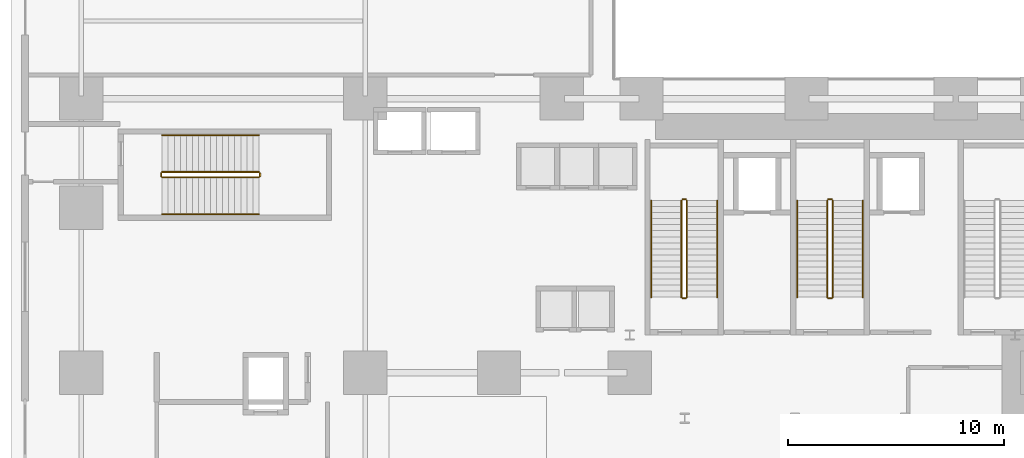
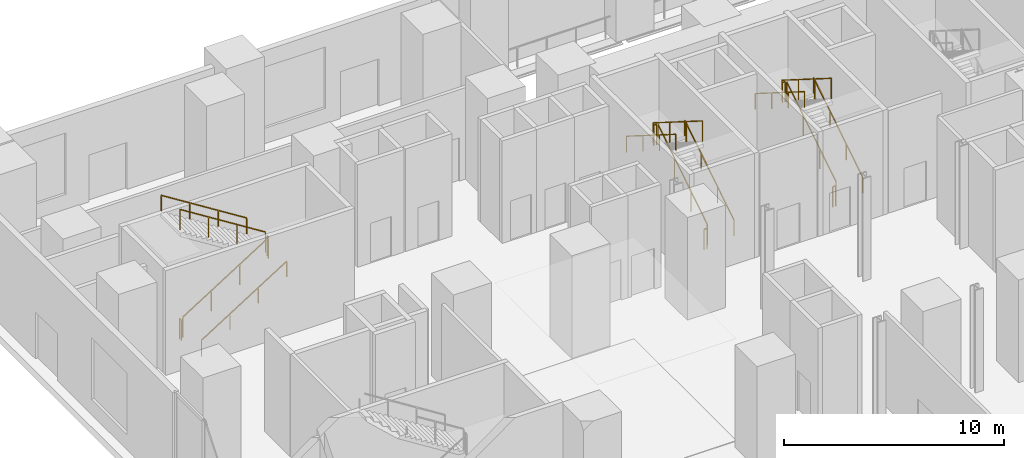
# One storey, part 21 of 25: 18 railings.
"""IFC4 building model written with IfcOpenShell, lengths in metres."""

from ifc_helpers import new_model, si_unit, direction, frame, origin, origin_2d, place, context, subcontext, project, spatial, rectangle, extrude, source, transform, mapped, material, type_object, element, save


model = new_model("IFC4")

# Units and contexts
model_context = context("Model", 3, precision=1e-05, world=origin(), true_north=direction((0.0, 1.0)))
body_context = subcontext(model_context, "Body", "Model", "MODEL_VIEW")
ifc_project = project(units=[si_unit("LENGTHUNIT", "METRE"), si_unit("AREAUNIT", "SQUARE_METRE"), si_unit("VOLUMEUNIT", "CUBIC_METRE"), si_unit("PLANEANGLEUNIT", "RADIAN"), si_unit("MASSUNIT", "GRAM", prefix="KILO")], contexts=[model_context])

# Site, building, storey
site_placement = place(None, origin())
site = spatial("IfcSite", under=ifc_project, at=site_placement, CompositionType="ELEMENT")
building_placement = place(site_placement, origin())
building = spatial("IfcBuilding", under=site, at=building_placement, Name="Vardaveli Station Tower", CompositionType="ELEMENT")
storey_placement = place(building_placement, origin())
storey = spatial("IfcBuildingStorey", under=building, at=storey_placement, Name="L01", CompositionType="ELEMENT", Elevation=0.0)

# Railings
ifc_material = material(Name="Brushed AISI 316 stainless steel", Category="steel")
railing_type_1 = type_object("IfcRailingType", Name="RL-GUARD-1150", PredefinedType="GUARDRAIL", material=ifc_material)
shared_shape_1 = source(origin(), body_context, "Body", "SweptSolid", [
    extrude(rectangle(XDim=0.048095703125, YDim=0.048095703125, at=origin_2d()), frame((0.0, 0.0, 1.1259765625), z_axis=(-1.0, 0.0, 0.0), x_axis=(0.0, -1.0, 0.0)), (0.0, 0.0, 1.0), 0.14990234375),
    extrude(rectangle(XDim=0.0419921875, YDim=0.0419921875, at=origin_2d()), origin(), (0.0, 0.0, 1.0), 1.101806640625),
    extrude(rectangle(XDim=0.0419921875, YDim=0.0419921875, at=origin_2d()), frame((-0.14990234375, 0.0, 0.0)), (0.0, 0.0, 1.0), 1.101806640625),
])
for number, where, name in (
    (1, (31.25, 36.929931640625, 3.0), "L01 ST-1 stair guard 2"),
    (2, (31.25, 32.35009765625, 0.0), "L01 ST-1 stair guard 4"),
    (3, (38.0, 36.929931640625, 3.0), "L01 ST-2 stair guard 2"),
    (4, (38.0, 32.35009765625, 0.0), "L01 ST-2 stair guard 4"),
):
    element("IfcRailing", number, at=place(storey_placement, frame(where)), inside=storey, type_object=railing_type_1, Name=name, PredefinedType="GUARDRAIL", context=body_context, shape_type="MappedRepresentation", body=[
        mapped(shared_shape_1, transform((0.0, 0.0, 0.0), scale=1.0)),
    ])
shared_shape_2 = source(origin(), body_context, "Body", "SweptSolid", [
    extrude(rectangle(XDim=0.048095703125, YDim=0.048095703125, at=origin_2d()), frame((0.0, 0.0, 1.1259765625), z_axis=(0.0, 0.845997938375, 0.533186166611), x_axis=(-1.0, 0.0, 0.0)), (0.0, 0.0, 1.0), 5.29541015625),
    extrude(rectangle(XDim=0.0419921875, YDim=0.0419921875, at=origin_2d()), origin(), (0.0, 0.0, 1.0), 1.101806640625),
    extrude(rectangle(XDim=0.0419921875, YDim=0.0419921875, at=origin_2d()), frame((0.0, 1.493408203125, 0.941162109375)), (0.0, 0.0, 1.0), 1.101806640625),
    extrude(rectangle(XDim=0.0419921875, YDim=0.0419921875, at=origin_2d()), frame((0.0, 2.986572265625, 1.88232421875)), (0.0, 0.0, 1.0), 1.101806640625),
    extrude(rectangle(XDim=0.0419921875, YDim=0.0419921875, at=origin_2d()), frame((0.0, 4.47998046875, 2.823486328125)), (0.0, 0.0, 1.0), 1.101806640625),
])
for number, where, name in (
    (5, (31.300048828125, 32.39990234375, 0.176513671875), "L01 ST-1 stair guard 1"),
    (6, (38.050048828125, 32.39990234375, 0.176513671875), "L01 ST-2 stair guard 1"),
):
    element("IfcRailing", number, at=place(storey_placement, frame(where)), inside=storey, type_object=railing_type_1, Name=name, PredefinedType="GUARDRAIL", context=body_context, shape_type="MappedRepresentation", body=[
        mapped(shared_shape_2, transform((0.0, 0.0, 0.0), scale=1.0)),
    ])
shared_shape_3 = source(origin(), body_context, "Body", "SweptSolid", [
    extrude(rectangle(XDim=0.048095703125, YDim=0.048095703125, at=origin_2d()), frame((0.0, 0.0, 1.1259765625), z_axis=(0.0, -0.845997938375, 0.533186166611), x_axis=(1.0, 0.0, 0.0)), (0.0, 0.0, 1.0), 5.29541015625),
    extrude(rectangle(XDim=0.0419921875, YDim=0.0419921875, at=origin_2d()), origin(), (0.0, 0.0, 1.0), 1.101806640625),
    extrude(rectangle(XDim=0.0419921875, YDim=0.0419921875, at=origin_2d()), frame((0.0, -1.493408203125, 0.941162109375)), (0.0, 0.0, 1.0), 1.101806640625),
    extrude(rectangle(XDim=0.0419921875, YDim=0.0419921875, at=origin_2d()), frame((0.0, -2.986572265625, 1.88232421875)), (0.0, 0.0, 1.0), 1.101806640625),
    extrude(rectangle(XDim=0.0419921875, YDim=0.0419921875, at=origin_2d()), frame((0.0, -4.47998046875, 2.823486328125)), (0.0, 0.0, 1.0), 1.101806640625),
])
for number, where, name in (
    (7, (31.050048828125, 36.8798828125, 3.176513671875), "L01 ST-1 stair guard 3"),
    (8, (37.800048828125, 36.8798828125, 3.176513671875), "L01 ST-2 stair guard 3"),
):
    element("IfcRailing", number, at=place(storey_placement, frame(where)), inside=storey, type_object=railing_type_1, Name=name, PredefinedType="GUARDRAIL", context=body_context, shape_type="MappedRepresentation", body=[
        mapped(shared_shape_3, transform((0.0, 0.0, 0.0), scale=1.0)),
    ])
railing_type_2 = type_object("IfcRailingType", Name="RL-HAND-900", PredefinedType="HANDRAIL", material=ifc_material)
shared_shape_4 = source(origin(), body_context, "Body", "SweptSolid", [
    extrude(rectangle(XDim=0.048095703125, YDim=0.048095703125, at=origin_2d()), frame((0.0, 0.0, 0.8759765625), z_axis=(0.0, 0.845997938375, 0.533186166611), x_axis=(-1.0, 0.0, 0.0)), (0.0, 0.0, 1.0), 5.29541015625),
    extrude(rectangle(XDim=0.0419921875, YDim=0.0419921875, at=origin_2d()), origin(), (0.0, 0.0, 1.0), 0.851806640625),
    extrude(rectangle(XDim=0.0419921875, YDim=0.0419921875, at=origin_2d()), frame((0.0, 1.493408203125, 0.941162109375)), (0.0, 0.0, 1.0), 0.851806640625),
    extrude(rectangle(XDim=0.0419921875, YDim=0.0419921875, at=origin_2d()), frame((0.0, 2.986572265625, 1.88232421875)), (0.0, 0.0, 1.0), 0.851806640625),
    extrude(rectangle(XDim=0.0419921875, YDim=0.0419921875, at=origin_2d()), frame((0.0, 4.47998046875, 2.823486328125)), (0.0, 0.0, 1.0), 0.851806640625),
])
for number, where, name in (
    (9, (32.699951171875, 32.39990234375, 0.176513671875), "L01 ST-1 stair handrail 1"),
    (10, (39.449951171875, 32.39990234375, 0.176513671875), "L01 ST-2 stair handrail 1"),
):
    element("IfcRailing", number, at=place(storey_placement, frame(where)), inside=storey, type_object=railing_type_2, Name=name, PredefinedType="HANDRAIL", context=body_context, shape_type="MappedRepresentation", body=[
        mapped(shared_shape_4, transform((0.0, 0.0, 0.0), scale=1.0)),
    ])
shared_shape_5 = source(origin(), body_context, "Body", "SweptSolid", [
    extrude(rectangle(XDim=0.048095703125, YDim=0.048095703125, at=origin_2d()), frame((0.0, 0.0, 0.8759765625), z_axis=(0.0, -0.845997938375, 0.533186166611), x_axis=(1.0, 0.0, 0.0)), (0.0, 0.0, 1.0), 5.29541015625),
    extrude(rectangle(XDim=0.0419921875, YDim=0.0419921875, at=origin_2d()), origin(), (0.0, 0.0, 1.0), 0.851806640625),
    extrude(rectangle(XDim=0.0419921875, YDim=0.0419921875, at=origin_2d()), frame((0.0, -1.493408203125, 0.941162109375)), (0.0, 0.0, 1.0), 0.851806640625),
    extrude(rectangle(XDim=0.0419921875, YDim=0.0419921875, at=origin_2d()), frame((0.0, -2.986572265625, 1.88232421875)), (0.0, 0.0, 1.0), 0.851806640625),
    extrude(rectangle(XDim=0.0419921875, YDim=0.0419921875, at=origin_2d()), frame((0.0, -4.47998046875, 2.823486328125)), (0.0, 0.0, 1.0), 0.851806640625),
])
for number, where, name in (
    (11, (29.64990234375, 36.8798828125, 3.176513671875), "L01 ST-1 stair handrail 2"),
    (12, (36.39990234375, 36.8798828125, 3.176513671875), "L01 ST-2 stair handrail 2"),
):
    element("IfcRailing", number, at=place(storey_placement, frame(where)), inside=storey, type_object=railing_type_2, Name=name, PredefinedType="HANDRAIL", context=body_context, shape_type="MappedRepresentation", body=[
        mapped(shared_shape_5, transform((0.0, 0.0, 0.0), scale=1.0)),
    ])
shared_shape_6 = source(origin(), body_context, "Body", "SweptSolid", [
    extrude(rectangle(XDim=0.048095703125, YDim=0.048095703125, at=origin_2d()), frame((0.0, 0.0, 1.1259765625), z_axis=(0.0, 1.0, 0.0), x_axis=(-1.0, 0.0, 0.0)), (0.0, 0.0, 1.0), 0.14990234375),
    extrude(rectangle(XDim=0.0419921875, YDim=0.0419921875, at=origin_2d()), origin(), (0.0, 0.0, 1.0), 1.101806640625),
    extrude(rectangle(XDim=0.0419921875, YDim=0.0419921875, at=origin_2d()), frame((0.0, 0.14990234375, 0.0)), (0.0, 0.0, 1.0), 1.101806640625),
])
for number, where, name in (
    (13, (11.530029296875, 38.0, 3.0), "L01 ST-P1 stair guard 2"),
    (14, (6.949951171875, 38.0, 0.0), "L01 ST-P1 stair guard 4"),
):
    element("IfcRailing", number, at=place(storey_placement, frame(where)), inside=storey, type_object=railing_type_1, Name=name, PredefinedType="GUARDRAIL", context=body_context, shape_type="MappedRepresentation", body=[
        mapped(shared_shape_6, transform((0.0, 0.0, 0.0), scale=1.0)),
    ])
shared_shape_7 = source(origin(), body_context, "Body", "SweptSolid", [
    extrude(rectangle(XDim=0.048095703125, YDim=0.048095703125, at=origin_2d()), frame((0.0, 0.0, 1.1259765625), z_axis=(0.845997938375, 0.0, 0.533186166611), x_axis=(0.0, 1.0, 0.0)), (0.0, 0.0, 1.0), 5.29541015625),
    extrude(rectangle(XDim=0.0419921875, YDim=0.0419921875, at=origin_2d()), origin(), (0.0, 0.0, 1.0), 1.101806640625),
    extrude(rectangle(XDim=0.0419921875, YDim=0.0419921875, at=origin_2d()), frame((1.493408203125, 0.0, 0.941162109375)), (0.0, 0.0, 1.0), 1.101806640625),
    extrude(rectangle(XDim=0.0419921875, YDim=0.0419921875, at=origin_2d()), frame((2.986572265625, 0.0, 1.88232421875)), (0.0, 0.0, 1.0), 1.101806640625),
    extrude(rectangle(XDim=0.0419921875, YDim=0.0419921875, at=origin_2d()), frame((4.47998046875, 0.0, 2.823486328125)), (0.0, 0.0, 1.0), 1.101806640625),
])
railing_1_placement = place(storey_placement, frame((7.0, 37.949951171875, 0.176513671875)))
element("IfcRailing", 15, at=railing_1_placement, inside=storey, type_object=railing_type_1, Name="L01 ST-P1 stair guard 1", PredefinedType="GUARDRAIL", context=body_context, shape_type="MappedRepresentation", body=[
    mapped(shared_shape_7, transform((0.0, 0.0, 0.0), scale=1.0)),
])
shared_shape_8 = source(origin(), body_context, "Body", "SweptSolid", [
    extrude(rectangle(XDim=0.048095703125, YDim=0.048095703125, at=origin_2d()), frame((0.0, 0.0, 1.1259765625), z_axis=(-0.845997938375, 0.0, 0.533186166611), x_axis=(0.0, -1.0, 0.0)), (0.0, 0.0, 1.0), 5.29541015625),
    extrude(rectangle(XDim=0.0419921875, YDim=0.0419921875, at=origin_2d()), origin(), (0.0, 0.0, 1.0), 1.101806640625),
    extrude(rectangle(XDim=0.0419921875, YDim=0.0419921875, at=origin_2d()), frame((-1.493408203125, 0.0, 0.941162109375)), (0.0, 0.0, 1.0), 1.101806640625),
    extrude(rectangle(XDim=0.0419921875, YDim=0.0419921875, at=origin_2d()), frame((-2.986572265625, 0.0, 1.88232421875)), (0.0, 0.0, 1.0), 1.101806640625),
    extrude(rectangle(XDim=0.0419921875, YDim=0.0419921875, at=origin_2d()), frame((-4.47998046875, 0.0, 2.823486328125)), (0.0, 0.0, 1.0), 1.101806640625),
])
railing_2_placement = place(storey_placement, frame((11.47998046875, 38.199951171875, 3.176513671875)))
element("IfcRailing", 16, at=railing_2_placement, inside=storey, type_object=railing_type_1, Name="L01 ST-P1 stair guard 3", PredefinedType="GUARDRAIL", context=body_context, shape_type="MappedRepresentation", body=[
    mapped(shared_shape_8, transform((0.0, 0.0, 0.0), scale=1.0)),
])
shared_shape_9 = source(origin(), body_context, "Body", "SweptSolid", [
    extrude(rectangle(XDim=0.048095703125, YDim=0.048095703125, at=origin_2d()), frame((0.0, 0.0, 0.8759765625), z_axis=(0.845997938375, 0.0, 0.533186166611), x_axis=(0.0, 1.0, 0.0)), (0.0, 0.0, 1.0), 5.29541015625),
    extrude(rectangle(XDim=0.0419921875, YDim=0.0419921875, at=origin_2d()), origin(), (0.0, 0.0, 1.0), 0.851806640625),
    extrude(rectangle(XDim=0.0419921875, YDim=0.0419921875, at=origin_2d()), frame((1.493408203125, 0.0, 0.941162109375)), (0.0, 0.0, 1.0), 0.851806640625),
    extrude(rectangle(XDim=0.0419921875, YDim=0.0419921875, at=origin_2d()), frame((2.986572265625, 0.0, 1.88232421875)), (0.0, 0.0, 1.0), 0.851806640625),
    extrude(rectangle(XDim=0.0419921875, YDim=0.0419921875, at=origin_2d()), frame((4.47998046875, 0.0, 2.823486328125)), (0.0, 0.0, 1.0), 0.851806640625),
])
railing_3_placement = place(storey_placement, frame((7.0, 36.25, 0.176513671875)))
element("IfcRailing", 17, at=railing_3_placement, inside=storey, type_object=railing_type_2, Name="L01 ST-P1 stair handrail 1", PredefinedType="HANDRAIL", context=body_context, shape_type="MappedRepresentation", body=[
    mapped(shared_shape_9, transform((0.0, 0.0, 0.0), scale=1.0)),
])
shared_shape_10 = source(origin(), body_context, "Body", "SweptSolid", [
    extrude(rectangle(XDim=0.048095703125, YDim=0.048095703125, at=origin_2d()), frame((0.0, 0.0, 0.8759765625), z_axis=(-0.845997938375, 0.0, 0.533186166611), x_axis=(0.0, -1.0, 0.0)), (0.0, 0.0, 1.0), 5.29541015625),
    extrude(rectangle(XDim=0.0419921875, YDim=0.0419921875, at=origin_2d()), origin(), (0.0, 0.0, 1.0), 0.851806640625),
    extrude(rectangle(XDim=0.0419921875, YDim=0.0419921875, at=origin_2d()), frame((-1.493408203125, 0.0, 0.941162109375)), (0.0, 0.0, 1.0), 0.851806640625),
    extrude(rectangle(XDim=0.0419921875, YDim=0.0419921875, at=origin_2d()), frame((-2.986572265625, 0.0, 1.88232421875)), (0.0, 0.0, 1.0), 0.851806640625),
    extrude(rectangle(XDim=0.0419921875, YDim=0.0419921875, at=origin_2d()), frame((-4.47998046875, 0.0, 2.823486328125)), (0.0, 0.0, 1.0), 0.851806640625),
])
railing_4_placement = place(storey_placement, frame((11.47998046875, 39.89990234375, 3.176513671875)))
element("IfcRailing", 18, at=railing_4_placement, inside=storey, type_object=railing_type_2, Name="L01 ST-P1 stair handrail 2", PredefinedType="HANDRAIL", context=body_context, shape_type="MappedRepresentation", body=[
    mapped(shared_shape_10, transform((0.0, 0.0, 0.0), scale=1.0)),
])

save(model, "model.ifc")
